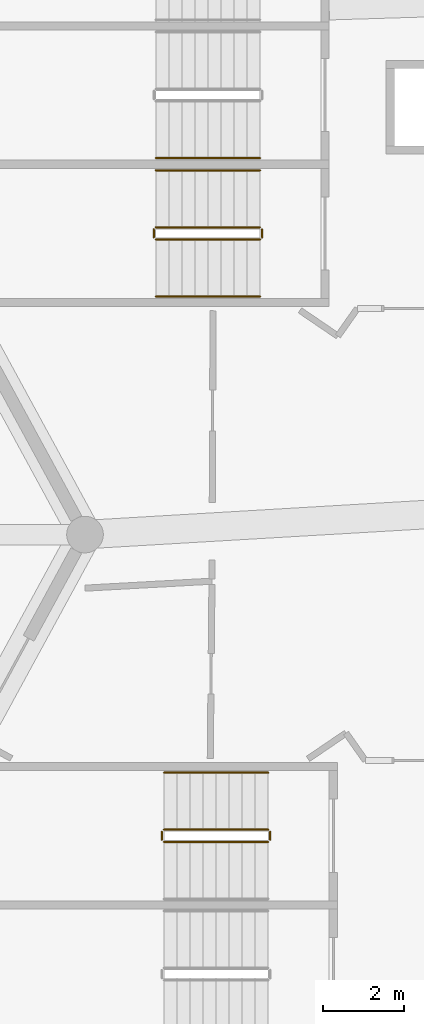
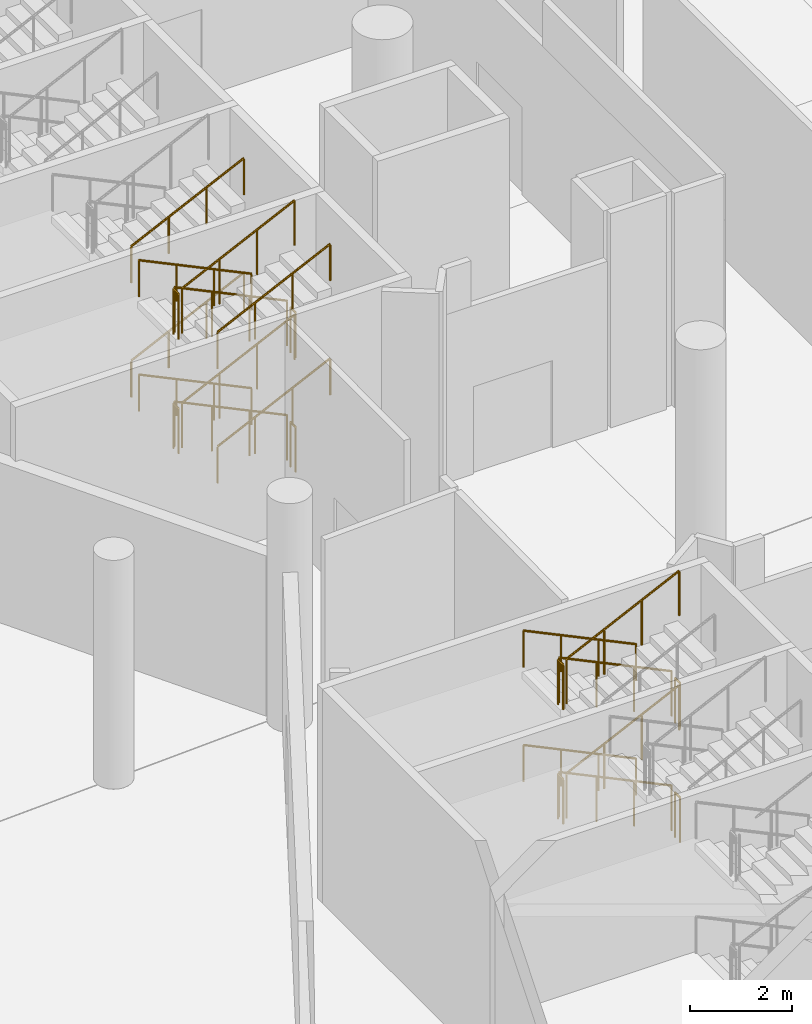
# One storey, part 232 of 271: 24 railings.
"""IFC4 building model written with IfcOpenShell, lengths in metres."""

import ifcopenshell
import ifcopenshell.guid

model = None  # the IFC model being written
_history = None  # IfcOwnerHistory: only IFC2X3 demands one
_inside = {}  # id of a spatial element -> (the spatial element, [elements in it])
_under = {}  # id of a project, library or spatial element -> (it, [spatial elements below it])
_declared = {}  # id of a project -> (the project, [libraries it declares])
_typed = {}  # id of a type object -> (the type object, [elements of that type])
_made_of = {}  # id of a material, layer set ... -> (it, [elements and type objects made of it])


def new_model(schema):
    """Start an empty IFC model of exactly this schema.

    Asked for "IFC4X3", IfcOpenShell would pick the latest addendum, in which some entities
    have other attributes; the version numbers below select the first issue.
    IFC2X3 requires an IfcOwnerHistory on every rooted entity: one is made here for all.
    """
    global model, _history
    if schema == "IFC4X3":
        model = ifcopenshell.file(schema_version=(4, 3, 0, 0))
    else:
        model = ifcopenshell.file(schema=schema)
    _inside.clear()
    _under.clear()
    _declared.clear()
    _typed.clear()
    _made_of.clear()
    _history = None
    if model.schema == "IFC2X3":
        org = make("IfcOrganization", Name="unknown")
        user = make(
            "IfcPersonAndOrganization",
            ThePerson=make("IfcPerson", FamilyName="unknown"),
            TheOrganization=org,
        )
        app = make(
            "IfcApplication",
            ApplicationDeveloper=org,
            Version="unknown",
            ApplicationFullName="unknown",
            ApplicationIdentifier="unknown",
        )
        _history = make(
            "IfcOwnerHistory",
            OwningUser=user,
            OwningApplication=app,
            ChangeAction="ADDED",
            CreationDate=0,
        )
    return model


def make(cls, **values):
    """One entity of the class cls with the attributes given. An attribute that is None is left unset."""
    return model.create_entity(
        cls, **{name: value for name, value in values.items() if value is not None}
    )


def rooted(cls, **values):
    """An entity with a GlobalId (a new one), such as an element, a storey or a relation."""
    return make(cls, GlobalId=ifcopenshell.guid.new(), OwnerHistory=_history, **values)


def si_unit(unit_type, name, prefix=None):
    """IfcSIUnit, for example si_unit("LENGTHUNIT", "METRE", prefix="MILLI")."""
    return make("IfcSIUnit", UnitType=unit_type, Prefix=prefix, Name=name)


def assignment(units):
    """IfcUnitAssignment: the units of a project."""
    return None if units is None else make("IfcUnitAssignment", Units=units)


def point(xyz):
    """IfcCartesianPoint."""
    return None if xyz is None else make("IfcCartesianPoint", Coordinates=xyz)


def direction(xyz):
    """IfcDirection."""
    return None if xyz is None else make("IfcDirection", DirectionRatios=xyz)


def frame(location, z_axis=None, x_axis=None):
    """IfcAxis2Placement3D, a coordinate frame: its origin and axes. An axis left out is left unset."""
    return make(
        "IfcAxis2Placement3D",
        Location=point(location),
        Axis=direction(z_axis),
        RefDirection=direction(x_axis),
    )


def frame_2d(location, x_axis=None):
    """IfcAxis2Placement2D, a coordinate frame in the plane: its origin and x axis."""
    return make(
        "IfcAxis2Placement2D", Location=point(location), RefDirection=direction(x_axis)
    )


def origin():
    """The frame at (0, 0, 0) with its axes left unset."""
    return frame((0.0, 0.0, 0.0))


def origin_2d():
    """The frame at (0, 0) in the plane with its x axis left unset."""
    return frame_2d((0.0, 0.0))


def place(relative_to, where):
    """IfcLocalPlacement: puts the frame where relative to a parent placement (None: the world)."""
    return make(
        "IfcLocalPlacement", PlacementRelTo=relative_to, RelativePlacement=where
    )


def context(
    kind, dimensions, precision=None, world=None, true_north=None, identifier=None
):
    """IfcGeometricRepresentationContext, for example the 3D "Model" context."""
    return make(
        "IfcGeometricRepresentationContext",
        ContextIdentifier=identifier,
        ContextType=kind,
        CoordinateSpaceDimension=dimensions,
        Precision=precision,
        WorldCoordinateSystem=world,
        TrueNorth=true_north,
    )


def subcontext(parent, identifier, kind, view, scale=None):
    """IfcGeometricRepresentationSubContext, for example "Body" below "Model"."""
    return make(
        "IfcGeometricRepresentationSubContext",
        ContextIdentifier=identifier,
        ContextType=kind,
        ParentContext=parent,
        TargetScale=scale,
        TargetView=view,
    )


def project(units=None, contexts=None):
    """IfcProject with its units and contexts."""
    return rooted(
        "IfcProject",
        Name="project",
        RepresentationContexts=contexts,
        UnitsInContext=assignment(units),
    )


def spatial(cls, under=None, at=None, **own):
    """A site, building, storey or space (cls), placed at a placement, below another one or the project."""
    s = rooted(cls, ObjectPlacement=at, **own)
    if under is not None:
        _under.setdefault(under.id(), (under, []))[1].append(s)
    return s


def profile(cls, at=None, kind="AREA", **sizes):
    """A parametric profile (cls). Its sizes go by their IFC names, for example OverallWidth=200.0."""
    return make(cls, ProfileType=kind, Position=at, **sizes)


def circle(**sizes):
    """IfcCircleProfileDef."""
    return profile("IfcCircleProfileDef", **sizes)


def extrude(swept, where, along, depth):
    """IfcExtrudedAreaSolid: the profile swept, set in the frame where, extruded along a direction by depth."""
    return make(
        "IfcExtrudedAreaSolid",
        SweptArea=swept,
        Position=where,
        ExtrudedDirection=direction(along),
        Depth=depth,
    )


def shape(context_of_items, identifier, shape_type, items):
    """IfcShapeRepresentation: the items that make up one representation, for example the "Body"."""
    return make(
        "IfcShapeRepresentation",
        ContextOfItems=context_of_items,
        RepresentationIdentifier=identifier,
        RepresentationType=shape_type,
        Items=items,
    )


def material(Name=None, Category=None):
    """IfcMaterial."""
    return make("IfcMaterial", Name=Name, Category=Category)


def made_of(thing, what):
    """Note that an element or type object is made of a material, layer set ...; save() writes the relation."""
    if what is not None:
        _made_of.setdefault(what.id(), (what, []))[1].append(thing)
    return thing


def type_object(cls, material=None, **own):
    """A type object (cls), such as IfcWallType, which elements share."""
    return made_of(rooted(cls, **own), material)


def element(
    cls,
    number,
    at=None,
    inside=None,
    cuts=None,
    type_object=None,
    material=None,
    context=None,
    identifier="Body",
    shape_type=None,
    held_by="IfcProductDefinitionShape",
    body=None,
    shapes=None,
    **own,
):
    """One element of the class cls, such as IfcWall. Its Tag is "e" and its number.

    at: its placement. inside: the storey or other place that contains it. cuts: it is an
    opening in that element (IfcRelVoidsElement). A single representation is given by context,
    identifier, shape_type and body (its items); several are given by shapes. held_by: the class
    of the entity that holds the representations. save() writes the other relations.
    """
    e = rooted(cls, Tag="e%d" % number, ObjectPlacement=at, **own)
    if body is not None:
        shapes = [shape(context, identifier, shape_type, body)]
    if shapes is not None:
        e.Representation = make(held_by, Representations=shapes)
    if inside is not None:
        _inside.setdefault(inside.id(), (inside, []))[1].append(e)
    if cuts is not None:
        rooted(
            "IfcRelVoidsElement", RelatingBuildingElement=cuts, RelatedOpeningElement=e
        )
    if type_object is not None:
        _typed.setdefault(type_object.id(), (type_object, []))[1].append(e)
    return made_of(e, material)


def aggregate(whole, parts):
    """IfcRelAggregates: a whole, such as a stair, and the parts it consists of."""
    return rooted("IfcRelAggregates", RelatingObject=whole, RelatedObjects=parts)


def save(model, path):
    """Write the relations noted so far, then the file.

    IfcRelAggregates (storeys below a building ...), IfcRelContainedInSpatialStructure (elements
    in a storey), IfcRelDefinesByType, IfcRelAssociatesMaterial and IfcRelDeclares: one each for
    every whole, place, type object, material and project.
    """
    for whole, parts in _under.values():
        aggregate(whole, parts)
    for where, things in _inside.values():
        rooted(
            "IfcRelContainedInSpatialStructure",
            RelatedElements=things,
            RelatingStructure=where,
        )
    for kind, things in _typed.values():
        rooted("IfcRelDefinesByType", RelatedObjects=things, RelatingType=kind)
    for what, things in _made_of.values():
        rooted("IfcRelAssociatesMaterial", RelatedObjects=things, RelatingMaterial=what)
    for by, libraries in _declared.values():
        rooted("IfcRelDeclares", RelatingContext=by, RelatedDefinitions=libraries)
    model.write(path)


model = new_model("IFC4")

# Units and contexts
model_context = context("Model", 3, precision=1e-05, world=origin(), true_north=direction((0.0, 1.0)))
body_context = subcontext(model_context, "Body", "Model", "MODEL_VIEW")
ifc_project = project(units=[si_unit("LENGTHUNIT", "METRE"), si_unit("AREAUNIT", "SQUARE_METRE"), si_unit("VOLUMEUNIT", "CUBIC_METRE"), si_unit("PLANEANGLEUNIT", "RADIAN"), si_unit("MASSUNIT", "GRAM", prefix="KILO")], contexts=[model_context])

# Site, building, storey
site_placement = place(None, origin())
site = spatial("IfcSite", under=ifc_project, at=site_placement, CompositionType="ELEMENT")
building_placement = place(site_placement, origin())
building = spatial("IfcBuilding", under=site, at=building_placement, Name="Meseta Stadium", CompositionType="ELEMENT")
storey_placement = place(building_placement, frame((0.0, 0.0, 6.5)))
storey = spatial("IfcBuildingStorey", under=building, at=storey_placement, Name="L01", CompositionType="ELEMENT", Elevation=6.5)

# Railings
ifc_material_1 = material(Name="Steel S355", Category="steel")
railing_type_1 = type_object("IfcRailingType", Name="Stair guard 1100", PredefinedType="GUARDRAIL", material=ifc_material_1)
railing_1_placement = place(storey_placement, frame((-90.300048828125, -23.699951171875, 0.15283203125)))
element("IfcRailing", 1, at=railing_1_placement, inside=storey, type_object=railing_type_1, Name="ST72 L01 guard 1", PredefinedType="GUARDRAIL", context=body_context, shape_type="SweptSolid", body=[
    extrude(circle(Radius=0.02392578125, at=origin_2d()), frame((0.0, 0.0, 1.076171875), z_axis=(-0.902436934422, 0.0, 0.430821981091), x_axis=(0.0, -1.0, 0.0)), (0.0, 0.0, 1.0), 2.8369140625),
    extrude(circle(Radius=0.02099609375, at=origin_2d()), origin(), (0.0, 0.0, 1.0), 1.052001953125),
    extrude(circle(Radius=0.02099609375, at=origin_2d()), frame((-0.853271484375, 0.0, 0.407470703125)), (0.0, 0.0, 1.0), 1.052001953125),
    extrude(circle(Radius=0.02099609375, at=origin_2d()), frame((-1.706787109375, 0.0, 0.814697265625)), (0.0, 0.0, 1.0), 1.052001953125),
    extrude(circle(Radius=0.02099609375, at=origin_2d()), frame((-2.56005859375, 0.0, 1.22216796875)), (0.0, 0.0, 1.0), 1.052001953125),
])
railing_2_placement = place(storey_placement, frame((-92.909912109375, -23.75, 1.375)))
element("IfcRailing", 2, at=railing_2_placement, inside=storey, type_object=railing_type_1, Name="ST72 L01 guard 2", PredefinedType="GUARDRAIL", context=body_context, shape_type="SweptSolid", body=[
    extrude(circle(Radius=0.02392578125, at=origin_2d()), frame((0.0, 0.0, 1.076171875), z_axis=(0.0, -1.0, 0.0), x_axis=(1.0, 0.0, 0.0)), (0.0, 0.0, 1.0), 0.199951171875),
    extrude(circle(Radius=0.02099609375, at=origin_2d()), origin(), (0.0, 0.0, 1.0), 1.052001953125),
    extrude(circle(Radius=0.02099609375, at=origin_2d()), frame((0.0, -0.199951171875, 0.0)), (0.0, 0.0, 1.0), 1.052001953125),
])
railing_3_placement = place(storey_placement, frame((-92.860107421875, -24.0, 1.52783203125)))
element("IfcRailing", 3, at=railing_3_placement, inside=storey, type_object=railing_type_1, Name="ST72 L01 guard 3", PredefinedType="GUARDRAIL", context=body_context, shape_type="SweptSolid", body=[
    extrude(circle(Radius=0.02392578125, at=origin_2d()), frame((0.0, 0.0, 1.076171875), z_axis=(0.902436934422, 0.0, 0.430821981091), x_axis=(0.0, 1.0, 0.0)), (0.0, 0.0, 1.0), 2.8369140625),
    extrude(circle(Radius=0.02099609375, at=origin_2d()), origin(), (0.0, 0.0, 1.0), 1.052001953125),
    extrude(circle(Radius=0.02099609375, at=origin_2d()), frame((0.853271484375, 0.0, 0.407470703125)), (0.0, 0.0, 1.0), 1.052001953125),
    extrude(circle(Radius=0.02099609375, at=origin_2d()), frame((1.706787109375, 0.0, 0.814697265625)), (0.0, 0.0, 1.0), 1.052001953125),
    extrude(circle(Radius=0.02099609375, at=origin_2d()), frame((2.56005859375, 0.0, 1.22216796875)), (0.0, 0.0, 1.0), 1.052001953125),
])
railing_4_placement = place(storey_placement, frame((-90.25, -23.75, 2.75)))
element("IfcRailing", 4, at=railing_4_placement, inside=storey, type_object=railing_type_1, Name="ST72 L01 guard 4", PredefinedType="GUARDRAIL", context=body_context, shape_type="SweptSolid", body=[
    extrude(circle(Radius=0.02392578125, at=origin_2d()), frame((0.0, 0.0, 1.076171875), z_axis=(0.0, -1.0, 0.0), x_axis=(1.0, 0.0, 0.0)), (0.0, 0.0, 1.0), 0.199951171875),
    extrude(circle(Radius=0.02099609375, at=origin_2d()), origin(), (0.0, 0.0, 1.0), 1.052001953125),
    extrude(circle(Radius=0.02099609375, at=origin_2d()), frame((0.0, -0.199951171875, 0.0)), (0.0, 0.0, 1.0), 1.052001953125),
])
railing_5_placement = place(storey_placement, frame((-90.300048828125, -23.699951171875, 2.90283203125)))
element("IfcRailing", 5, at=railing_5_placement, inside=storey, type_object=railing_type_1, Name="ST72 L01 guard 5", PredefinedType="GUARDRAIL", context=body_context, shape_type="SweptSolid", body=[
    extrude(circle(Radius=0.02392578125, at=origin_2d()), frame((0.0, 0.0, 1.076171875), z_axis=(-0.902436934422, 0.0, 0.430821981091), x_axis=(0.0, -1.0, 0.0)), (0.0, 0.0, 1.0), 2.8369140625),
    extrude(circle(Radius=0.02099609375, at=origin_2d()), origin(), (0.0, 0.0, 1.0), 1.052001953125),
    extrude(circle(Radius=0.02099609375, at=origin_2d()), frame((-0.853271484375, 0.0, 0.407470703125)), (0.0, 0.0, 1.0), 1.052001953125),
    extrude(circle(Radius=0.02099609375, at=origin_2d()), frame((-1.706787109375, 0.0, 0.814697265625)), (0.0, 0.0, 1.0), 1.052001953125),
    extrude(circle(Radius=0.02099609375, at=origin_2d()), frame((-2.56005859375, 0.0, 1.22216796875)), (0.0, 0.0, 1.0), 1.052001953125),
])
railing_6_placement = place(storey_placement, frame((-92.909912109375, -23.75, 4.125)))
element("IfcRailing", 6, at=railing_6_placement, inside=storey, type_object=railing_type_1, Name="ST72 L01 guard 6", PredefinedType="GUARDRAIL", context=body_context, shape_type="SweptSolid", body=[
    extrude(circle(Radius=0.02392578125, at=origin_2d()), frame((0.0, 0.0, 1.076171875), z_axis=(0.0, -1.0, 0.0), x_axis=(1.0, 0.0, 0.0)), (0.0, 0.0, 1.0), 0.199951171875),
    extrude(circle(Radius=0.02099609375, at=origin_2d()), origin(), (0.0, 0.0, 1.0), 1.052001953125),
    extrude(circle(Radius=0.02099609375, at=origin_2d()), frame((0.0, -0.199951171875, 0.0)), (0.0, 0.0, 1.0), 1.052001953125),
])
railing_7_placement = place(storey_placement, frame((-92.860107421875, -24.0, 4.27783203125)))
element("IfcRailing", 7, at=railing_7_placement, inside=storey, type_object=railing_type_1, Name="ST72 L01 guard 7", PredefinedType="GUARDRAIL", context=body_context, shape_type="SweptSolid", body=[
    extrude(circle(Radius=0.02392578125, at=origin_2d()), frame((0.0, 0.0, 1.076171875), z_axis=(0.902436934422, 0.0, 0.430821981091), x_axis=(0.0, 1.0, 0.0)), (0.0, 0.0, 1.0), 2.8369140625),
    extrude(circle(Radius=0.02099609375, at=origin_2d()), origin(), (0.0, 0.0, 1.0), 1.052001953125),
    extrude(circle(Radius=0.02099609375, at=origin_2d()), frame((0.853271484375, 0.0, 0.407470703125)), (0.0, 0.0, 1.0), 1.052001953125),
    extrude(circle(Radius=0.02099609375, at=origin_2d()), frame((1.706787109375, 0.0, 0.814697265625)), (0.0, 0.0, 1.0), 1.052001953125),
    extrude(circle(Radius=0.02099609375, at=origin_2d()), frame((2.56005859375, 0.0, 1.22216796875)), (0.0, 0.0, 1.0), 1.052001953125),
])
railing_8_placement = place(storey_placement, frame((-90.25, -23.75, 0.0)))
element("IfcRailing", 8, at=railing_8_placement, inside=storey, type_object=railing_type_1, Name="ST72 L01 guard 8", PredefinedType="GUARDRAIL", context=body_context, shape_type="SweptSolid", body=[
    extrude(circle(Radius=0.02392578125, at=origin_2d()), frame((0.0, 0.0, 1.076171875), z_axis=(0.0, -1.0, 0.0), x_axis=(1.0, 0.0, 0.0)), (0.0, 0.0, 1.0), 0.199951171875),
    extrude(circle(Radius=0.02099609375, at=origin_2d()), origin(), (0.0, 0.0, 1.0), 1.052001953125),
    extrude(circle(Radius=0.02099609375, at=origin_2d()), frame((0.0, -0.199951171875, 0.0)), (0.0, 0.0, 1.0), 1.052001953125),
])
railing_9_placement = place(storey_placement, frame((-90.10009765625, -38.5, 0.15283203125)))
element("IfcRailing", 9, at=railing_9_placement, inside=storey, type_object=railing_type_1, Name="ST73 L01 guard 1", PredefinedType="GUARDRAIL", context=body_context, shape_type="SweptSolid", body=[
    extrude(circle(Radius=0.02392578125, at=origin_2d()), frame((0.0, 0.0, 1.076171875), z_axis=(-0.902420958964, 0.0, 0.430855443069), x_axis=(0.0, -1.0, 0.0)), (0.0, 0.0, 1.0), 2.836669921875),
    extrude(circle(Radius=0.02099609375, at=origin_2d()), origin(), (0.0, 0.0, 1.0), 1.052001953125),
    extrude(circle(Radius=0.02099609375, at=origin_2d()), frame((-0.853271484375, 0.0, 0.407470703125)), (0.0, 0.0, 1.0), 1.052001953125),
    extrude(circle(Radius=0.02099609375, at=origin_2d()), frame((-1.70654296875, 0.0, 0.814697265625)), (0.0, 0.0, 1.0), 1.052001953125),
    extrude(circle(Radius=0.02099609375, at=origin_2d()), frame((-2.559814453125, 0.0, 1.22216796875)), (0.0, 0.0, 1.0), 1.052001953125),
])
railing_10_placement = place(storey_placement, frame((-92.7099609375, -38.550048828125, 1.375)))
element("IfcRailing", 10, at=railing_10_placement, inside=storey, type_object=railing_type_1, Name="ST73 L01 guard 2", PredefinedType="GUARDRAIL", context=body_context, shape_type="SweptSolid", body=[
    extrude(circle(Radius=0.02392578125, at=origin_2d()), frame((0.0, 0.0, 1.076171875), z_axis=(0.0, -1.0, 0.0), x_axis=(1.0, 0.0, 0.0)), (0.0, 0.0, 1.0), 0.199951171875),
    extrude(circle(Radius=0.02099609375, at=origin_2d()), origin(), (0.0, 0.0, 1.0), 1.052001953125),
    extrude(circle(Radius=0.02099609375, at=origin_2d()), frame((0.0, -0.199951171875, 0.0)), (0.0, 0.0, 1.0), 1.052001953125),
])
railing_11_placement = place(storey_placement, frame((-92.659912109375, -38.800048828125, 1.52783203125)))
element("IfcRailing", 11, at=railing_11_placement, inside=storey, type_object=railing_type_1, Name="ST73 L01 guard 3", PredefinedType="GUARDRAIL", context=body_context, shape_type="SweptSolid", body=[
    extrude(circle(Radius=0.02392578125, at=origin_2d()), frame((0.0, 0.0, 1.076171875), z_axis=(0.902420958964, 0.0, 0.430855443069), x_axis=(0.0, 1.0, 0.0)), (0.0, 0.0, 1.0), 2.836669921875),
    extrude(circle(Radius=0.02099609375, at=origin_2d()), origin(), (0.0, 0.0, 1.0), 1.052001953125),
    extrude(circle(Radius=0.02099609375, at=origin_2d()), frame((0.853271484375, 0.0, 0.407470703125)), (0.0, 0.0, 1.0), 1.052001953125),
    extrude(circle(Radius=0.02099609375, at=origin_2d()), frame((1.70654296875, 0.0, 0.814697265625)), (0.0, 0.0, 1.0), 1.052001953125),
    extrude(circle(Radius=0.02099609375, at=origin_2d()), frame((2.559814453125, 0.0, 1.22216796875)), (0.0, 0.0, 1.0), 1.052001953125),
])
railing_12_placement = place(storey_placement, frame((-90.050048828125, -38.550048828125, 2.75)))
element("IfcRailing", 12, at=railing_12_placement, inside=storey, type_object=railing_type_1, Name="ST73 L01 guard 4", PredefinedType="GUARDRAIL", context=body_context, shape_type="SweptSolid", body=[
    extrude(circle(Radius=0.02392578125, at=origin_2d()), frame((0.0, 0.0, 1.076171875), z_axis=(0.0, -1.0, 0.0), x_axis=(1.0, 0.0, 0.0)), (0.0, 0.0, 1.0), 0.199951171875),
    extrude(circle(Radius=0.02099609375, at=origin_2d()), origin(), (0.0, 0.0, 1.0), 1.052001953125),
    extrude(circle(Radius=0.02099609375, at=origin_2d()), frame((0.0, -0.199951171875, 0.0)), (0.0, 0.0, 1.0), 1.052001953125),
])
railing_13_placement = place(storey_placement, frame((-90.10009765625, -38.5, 2.90283203125)))
element("IfcRailing", 13, at=railing_13_placement, inside=storey, type_object=railing_type_1, Name="ST73 L01 guard 5", PredefinedType="GUARDRAIL", context=body_context, shape_type="SweptSolid", body=[
    extrude(circle(Radius=0.02392578125, at=origin_2d()), frame((0.0, 0.0, 1.076171875), z_axis=(-0.902420958964, 0.0, 0.430855443069), x_axis=(0.0, -1.0, 0.0)), (0.0, 0.0, 1.0), 2.836669921875),
    extrude(circle(Radius=0.02099609375, at=origin_2d()), origin(), (0.0, 0.0, 1.0), 1.052001953125),
    extrude(circle(Radius=0.02099609375, at=origin_2d()), frame((-0.853271484375, 0.0, 0.407470703125)), (0.0, 0.0, 1.0), 1.052001953125),
    extrude(circle(Radius=0.02099609375, at=origin_2d()), frame((-1.70654296875, 0.0, 0.814697265625)), (0.0, 0.0, 1.0), 1.052001953125),
    extrude(circle(Radius=0.02099609375, at=origin_2d()), frame((-2.559814453125, 0.0, 1.22216796875)), (0.0, 0.0, 1.0), 1.052001953125),
])
railing_14_placement = place(storey_placement, frame((-92.7099609375, -38.550048828125, 4.125)))
element("IfcRailing", 14, at=railing_14_placement, inside=storey, type_object=railing_type_1, Name="ST73 L01 guard 6", PredefinedType="GUARDRAIL", context=body_context, shape_type="SweptSolid", body=[
    extrude(circle(Radius=0.02392578125, at=origin_2d()), frame((0.0, 0.0, 1.076171875), z_axis=(0.0, -1.0, 0.0), x_axis=(1.0, 0.0, 0.0)), (0.0, 0.0, 1.0), 0.199951171875),
    extrude(circle(Radius=0.02099609375, at=origin_2d()), origin(), (0.0, 0.0, 1.0), 1.052001953125),
    extrude(circle(Radius=0.02099609375, at=origin_2d()), frame((0.0, -0.199951171875, 0.0)), (0.0, 0.0, 1.0), 1.052001953125),
])
railing_15_placement = place(storey_placement, frame((-92.659912109375, -38.800048828125, 4.27783203125)))
element("IfcRailing", 15, at=railing_15_placement, inside=storey, type_object=railing_type_1, Name="ST73 L01 guard 7", PredefinedType="GUARDRAIL", context=body_context, shape_type="SweptSolid", body=[
    extrude(circle(Radius=0.02392578125, at=origin_2d()), frame((0.0, 0.0, 1.076171875), z_axis=(0.902420958964, 0.0, 0.430855443069), x_axis=(0.0, 1.0, 0.0)), (0.0, 0.0, 1.0), 2.836669921875),
    extrude(circle(Radius=0.02099609375, at=origin_2d()), origin(), (0.0, 0.0, 1.0), 1.052001953125),
    extrude(circle(Radius=0.02099609375, at=origin_2d()), frame((0.853271484375, 0.0, 0.407470703125)), (0.0, 0.0, 1.0), 1.052001953125),
    extrude(circle(Radius=0.02099609375, at=origin_2d()), frame((1.70654296875, 0.0, 0.814697265625)), (0.0, 0.0, 1.0), 1.052001953125),
    extrude(circle(Radius=0.02099609375, at=origin_2d()), frame((2.559814453125, 0.0, 1.22216796875)), (0.0, 0.0, 1.0), 1.052001953125),
])
railing_16_placement = place(storey_placement, frame((-90.050048828125, -38.550048828125, 0.0)))
element("IfcRailing", 16, at=railing_16_placement, inside=storey, type_object=railing_type_1, Name="ST73 L01 guard 8", PredefinedType="GUARDRAIL", context=body_context, shape_type="SweptSolid", body=[
    extrude(circle(Radius=0.02392578125, at=origin_2d()), frame((0.0, 0.0, 1.076171875), z_axis=(0.0, -1.0, 0.0), x_axis=(1.0, 0.0, 0.0)), (0.0, 0.0, 1.0), 0.199951171875),
    extrude(circle(Radius=0.02099609375, at=origin_2d()), origin(), (0.0, 0.0, 1.0), 1.052001953125),
    extrude(circle(Radius=0.02099609375, at=origin_2d()), frame((0.0, -0.199951171875, 0.0)), (0.0, 0.0, 1.0), 1.052001953125),
])
ifc_material_2 = material(Name="Steel S355", Category="steel")
railing_type_2 = type_object("IfcRailingType", Name="Stair handrail 900", PredefinedType="HANDRAIL", material=ifc_material_2)
for number, where, name in (
    (17, (-92.860107421875, -22.0, 1.52783203125), "ST71 L01 handrail 2"),
    (18, (-92.860107421875, -22.0, 4.27783203125), "ST71 L01 handrail 4"),
):
    element("IfcRailing", number, at=place(storey_placement, frame(where)), inside=storey, type_object=railing_type_2, Name=name, PredefinedType="HANDRAIL", context=body_context, shape_type="SweptSolid", body=[
        extrude(circle(Radius=0.02392578125, at=origin_2d()), frame((0.0, 0.0, 0.8759765625), z_axis=(0.902436934422, 0.0, 0.430821981091), x_axis=(0.0, 1.0, 0.0)), (0.0, 0.0, 1.0), 2.8369140625),
        extrude(circle(Radius=0.02099609375, at=origin_2d()), origin(), (0.0, 0.0, 1.0), 0.851806640625),
        extrude(circle(Radius=0.02099609375, at=origin_2d()), frame((0.853271484375, 0.0, 0.407470703125)), (0.0, 0.0, 1.0), 0.851806640625),
        extrude(circle(Radius=0.02099609375, at=origin_2d()), frame((1.706787109375, 0.0, 0.814697265625)), (0.0, 0.0, 1.0), 0.851806640625),
        extrude(circle(Radius=0.02099609375, at=origin_2d()), frame((2.56005859375, 0.0, 1.22216796875)), (0.0, 0.0, 1.0), 0.851806640625),
    ])
railing_17_placement = place(storey_placement, frame((-90.300048828125, -22.300048828125, 0.15283203125)))
element("IfcRailing", 19, at=railing_17_placement, inside=storey, type_object=railing_type_2, Name="ST72 L01 handrail 1", PredefinedType="HANDRAIL", context=body_context, shape_type="SweptSolid", body=[
    extrude(circle(Radius=0.02392578125, at=origin_2d()), frame((0.0, 0.0, 0.8759765625), z_axis=(-0.902436934422, 0.0, 0.430821981091), x_axis=(0.0, -1.0, 0.0)), (0.0, 0.0, 1.0), 2.8369140625),
    extrude(circle(Radius=0.02099609375, at=origin_2d()), origin(), (0.0, 0.0, 1.0), 0.851806640625),
    extrude(circle(Radius=0.02099609375, at=origin_2d()), frame((-0.853271484375, 0.0, 0.407470703125)), (0.0, 0.0, 1.0), 0.851806640625),
    extrude(circle(Radius=0.02099609375, at=origin_2d()), frame((-1.706787109375, 0.0, 0.814697265625)), (0.0, 0.0, 1.0), 0.851806640625),
    extrude(circle(Radius=0.02099609375, at=origin_2d()), frame((-2.56005859375, 0.0, 1.22216796875)), (0.0, 0.0, 1.0), 0.851806640625),
])
railing_18_placement = place(storey_placement, frame((-92.860107421875, -25.39990234375, 1.52783203125)))
element("IfcRailing", 20, at=railing_18_placement, inside=storey, type_object=railing_type_2, Name="ST72 L01 handrail 2", PredefinedType="HANDRAIL", context=body_context, shape_type="SweptSolid", body=[
    extrude(circle(Radius=0.02392578125, at=origin_2d()), frame((0.0, 0.0, 0.8759765625), z_axis=(0.902436934422, 0.0, 0.430821981091), x_axis=(0.0, 1.0, 0.0)), (0.0, 0.0, 1.0), 2.8369140625),
    extrude(circle(Radius=0.02099609375, at=origin_2d()), origin(), (0.0, 0.0, 1.0), 0.851806640625),
    extrude(circle(Radius=0.02099609375, at=origin_2d()), frame((0.853271484375, 0.0, 0.407470703125)), (0.0, 0.0, 1.0), 0.851806640625),
    extrude(circle(Radius=0.02099609375, at=origin_2d()), frame((1.706787109375, 0.0, 0.814697265625)), (0.0, 0.0, 1.0), 0.851806640625),
    extrude(circle(Radius=0.02099609375, at=origin_2d()), frame((2.56005859375, 0.0, 1.22216796875)), (0.0, 0.0, 1.0), 0.851806640625),
])
railing_19_placement = place(storey_placement, frame((-90.300048828125, -22.300048828125, 2.90283203125)))
element("IfcRailing", 21, at=railing_19_placement, inside=storey, type_object=railing_type_2, Name="ST72 L01 handrail 3", PredefinedType="HANDRAIL", context=body_context, shape_type="SweptSolid", body=[
    extrude(circle(Radius=0.02392578125, at=origin_2d()), frame((0.0, 0.0, 0.8759765625), z_axis=(-0.902436934422, 0.0, 0.430821981091), x_axis=(0.0, -1.0, 0.0)), (0.0, 0.0, 1.0), 2.8369140625),
    extrude(circle(Radius=0.02099609375, at=origin_2d()), origin(), (0.0, 0.0, 1.0), 0.851806640625),
    extrude(circle(Radius=0.02099609375, at=origin_2d()), frame((-0.853271484375, 0.0, 0.407470703125)), (0.0, 0.0, 1.0), 0.851806640625),
    extrude(circle(Radius=0.02099609375, at=origin_2d()), frame((-1.706787109375, 0.0, 0.814697265625)), (0.0, 0.0, 1.0), 0.851806640625),
    extrude(circle(Radius=0.02099609375, at=origin_2d()), frame((-2.56005859375, 0.0, 1.22216796875)), (0.0, 0.0, 1.0), 0.851806640625),
])
railing_20_placement = place(storey_placement, frame((-92.860107421875, -25.39990234375, 4.27783203125)))
element("IfcRailing", 22, at=railing_20_placement, inside=storey, type_object=railing_type_2, Name="ST72 L01 handrail 4", PredefinedType="HANDRAIL", context=body_context, shape_type="SweptSolid", body=[
    extrude(circle(Radius=0.02392578125, at=origin_2d()), frame((0.0, 0.0, 0.8759765625), z_axis=(0.902436934422, 0.0, 0.430821981091), x_axis=(0.0, 1.0, 0.0)), (0.0, 0.0, 1.0), 2.8369140625),
    extrude(circle(Radius=0.02099609375, at=origin_2d()), origin(), (0.0, 0.0, 1.0), 0.851806640625),
    extrude(circle(Radius=0.02099609375, at=origin_2d()), frame((0.853271484375, 0.0, 0.407470703125)), (0.0, 0.0, 1.0), 0.851806640625),
    extrude(circle(Radius=0.02099609375, at=origin_2d()), frame((1.706787109375, 0.0, 0.814697265625)), (0.0, 0.0, 1.0), 0.851806640625),
    extrude(circle(Radius=0.02099609375, at=origin_2d()), frame((2.56005859375, 0.0, 1.22216796875)), (0.0, 0.0, 1.0), 0.851806640625),
])
for number, where, name in (
    (23, (-90.10009765625, -37.10009765625, 0.15283203125), "ST73 L01 handrail 1"),
    (24, (-90.10009765625, -37.10009765625, 2.90283203125), "ST73 L01 handrail 3"),
):
    element("IfcRailing", number, at=place(storey_placement, frame(where)), inside=storey, type_object=railing_type_2, Name=name, PredefinedType="HANDRAIL", context=body_context, shape_type="SweptSolid", body=[
        extrude(circle(Radius=0.02392578125, at=origin_2d()), frame((0.0, 0.0, 0.8759765625), z_axis=(-0.902420958964, 0.0, 0.430855443069), x_axis=(0.0, -1.0, 0.0)), (0.0, 0.0, 1.0), 2.836669921875),
        extrude(circle(Radius=0.02099609375, at=origin_2d()), origin(), (0.0, 0.0, 1.0), 0.851806640625),
        extrude(circle(Radius=0.02099609375, at=origin_2d()), frame((-0.853271484375, 0.0, 0.407470703125)), (0.0, 0.0, 1.0), 0.851806640625),
        extrude(circle(Radius=0.02099609375, at=origin_2d()), frame((-1.70654296875, 0.0, 0.814697265625)), (0.0, 0.0, 1.0), 0.851806640625),
        extrude(circle(Radius=0.02099609375, at=origin_2d()), frame((-2.559814453125, 0.0, 1.22216796875)), (0.0, 0.0, 1.0), 0.851806640625),
    ])

save(model, "model.ifc")
